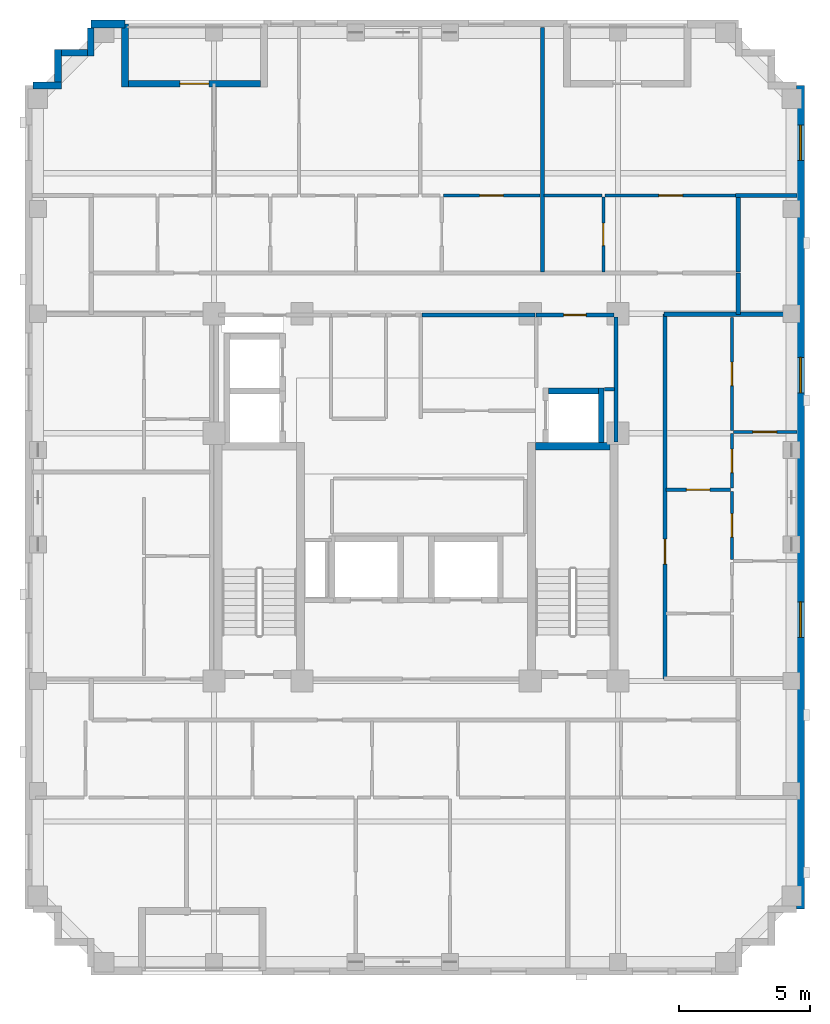
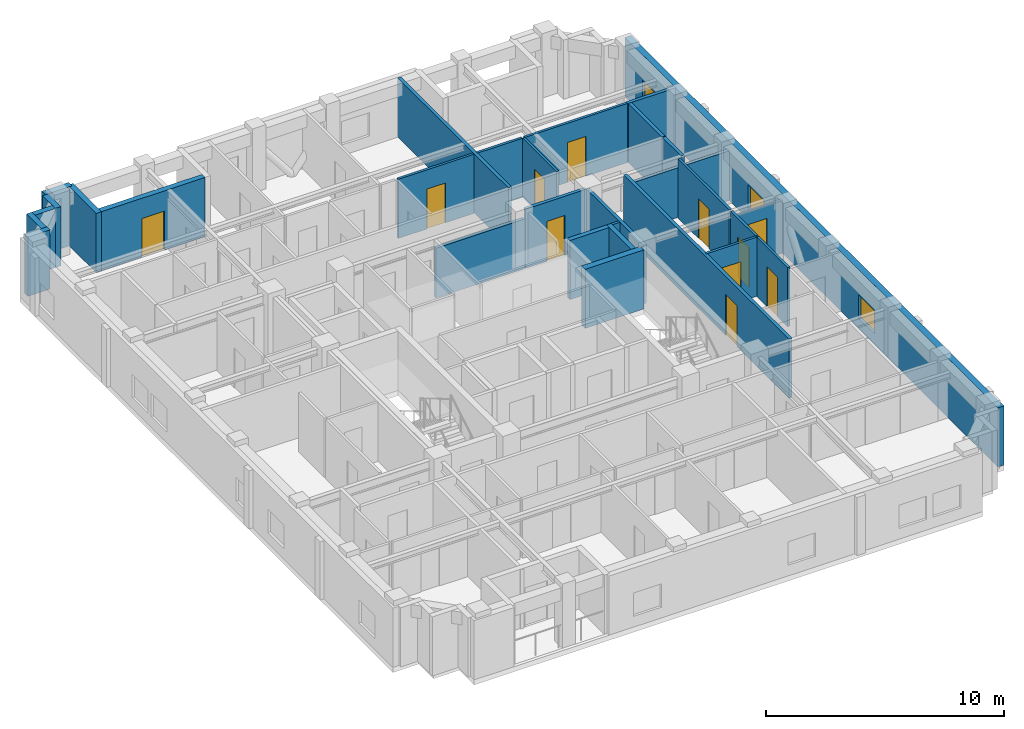
# One storey, part 6 of 10: 30 walls, 11 doors, 3 windows, 14 openings.
"""IFC4 building model written with IfcOpenShell, lengths in metres."""

from ifc_helpers import new_model, si_unit, derived_unit, direction, frame, frame_2d, origin, place, context, subcontext, project, spatial, rectangle, extrude, material, layer, layer_set, type_object, element, fill, save


model = new_model("IFC4")

# Units and contexts
model_context = context("Model", 3, precision=1e-05, world=origin(), true_north=direction((0.0, 1.0)))
body_context = subcontext(model_context, "Body", "Model", "MODEL_VIEW")
ifc_project = project(units=[si_unit("LENGTHUNIT", "METRE"), si_unit("AREAUNIT", "SQUARE_METRE"), si_unit("VOLUMEUNIT", "CUBIC_METRE"), si_unit("PLANEANGLEUNIT", "RADIAN"), si_unit("MASSUNIT", "GRAM", prefix="KILO"), derived_unit("THERMALTRANSMITTANCEUNIT", [(si_unit("MASSUNIT", "GRAM", prefix="KILO"), 1), (si_unit("TIMEUNIT", "SECOND"), -3), (si_unit("THERMODYNAMICTEMPERATUREUNIT", "KELVIN"), -1)])], contexts=[model_context])

# Site, building, storey
site_placement = place(None, origin())
site = spatial("IfcSite", under=ifc_project, at=site_placement, CompositionType="ELEMENT")
building_placement = place(site_placement, origin())
building = spatial("IfcBuilding", under=site, at=building_placement, Name="Korrvale Station Residences", CompositionType="ELEMENT")
storey_placement = place(building_placement, frame((0.0, 0.0, 204.10009765625)))
storey = spatial("IfcBuildingStorey", under=building, at=storey_placement, Name="L59", CompositionType="ELEMENT", Elevation=204.10009765625)

# Walls
ifc_material_1 = material(Name="Concrete C50/60", Category="concrete")
ifc_layer_1 = layer(ifc_material_1, 0.300048828125, Name="Concrete C50/60")
ifc_layer_set_1 = layer_set([ifc_layer_1], Name="Concrete C50/60")
wall_type_1 = type_object("IfcWallType", Name="WAL-CORE-300-C50", PredefinedType="SHEAR", material=ifc_layer_set_1)
wall_1_placement = place(storey_placement, frame((30.050048828125, 23.949951171875, 0.0), z_axis=(0.0, 0.0, 1.0), x_axis=(1.0, 0.0, 0.0)))
element("IfcWall", 1, at=wall_1_placement, inside=storey, type_object=wall_type_1, Name="L59 ST-2 Core Shear Wall North", PredefinedType="SHEAR", context=body_context, shape_type="SweptSolid", body=[
    extrude(rectangle(XDim=2.849853515625, YDim=0.300048828125, at=frame_2d((1.4248046875, 0.0))), origin(), (0.0, 0.0, 1.0), 3.039794921875),
])
ifc_material_2 = material(Name="Precast concrete C45/55", Category="concrete")
ifc_layer_2 = layer(ifc_material_2, 0.260009765625, Name="Precast concrete C45/55")
ifc_layer_set_2 = layer_set([ifc_layer_2], Name="Precast concrete C45/55")
wall_type_2 = type_object("IfcWallType", Name="WAL-EXT-LOG260", PredefinedType="SOLIDWALL", material=ifc_layer_set_2)
wall_2_placement = place(storey_placement, frame((14.39990234375, 40.0400390625, 0.0), z_axis=(0.0, 0.0, 1.0), x_axis=(0.0, -1.0, 0.0)))
element("IfcWall", 2, at=wall_2_placement, inside=storey, type_object=wall_type_2, Name="L59 Recessed Loggia Wall BAL-L59-N2-L", PredefinedType="SOLIDWALL", context=body_context, shape_type="SweptSolid", body=[
    extrude(rectangle(XDim=2.400146484375, YDim=0.260009765625, at=frame_2d((1.2001953125, 0.0))), origin(), (0.0, 0.0, 1.0), 3.039794921875),
])

# Wall, opening, door
wall_3_placement = place(storey_placement, frame((14.533935546875, 37.77001953125, 0.0), z_axis=(0.0, 0.0, 1.0), x_axis=(1.0, 0.0, 0.0)))
wall_3 = element("IfcWall", 3, at=wall_3_placement, inside=storey, type_object=wall_type_2, Name="L59 Recessed Loggia Wall BAL-L59-N2-B", PredefinedType="SOLIDWALL", context=body_context, shape_type="SweptSolid", body=[
    extrude(rectangle(XDim=5.031982421875, YDim=0.260009765625, at=frame_2d((2.51611328125, 0.0))), origin(), (0.0, 0.0, 1.0), 3.039794921875),
])
opening_1_placement = place(wall_3_placement, frame((1.966064453125, 0.0, 0.0)))
opening_1 = element("IfcOpeningElement", 4, at=opening_1_placement, cuts=wall_3, Name="Opening BD-01", PredefinedType="OPENING", context=body_context, shape_type="SweptSolid", body=[
    extrude(rectangle(XDim=1.10009765625, YDim=2.0, at=frame_2d((0.550048828125, 1.0))), frame((0.0, 0.14013671875, 0.0), z_axis=(0.0, -1.0, 0.0), x_axis=(1.0, 0.0, 0.0)), (0.0, 0.0, 1.0), 0.280029296875),
])
ifc_material_3 = material(Name="Exterior thermally broken aluminium glazed balcony door", Category="aluminium")
door_type_1 = type_object("IfcDoorType", Name="DR-EXT-BAL", OperationType="NOTDEFINED", PredefinedType="DOOR", material=ifc_material_3)
door_1_placement = place(opening_1_placement, origin())
door_1 = element("IfcDoor", 5, at=door_1_placement, inside=storey, type_object=door_type_1, Name="L59 Loggia Balcony Door BAL-L59-N2", OperationType="SINGLE_SWING_LEFT", OverallHeight=2.0, OverallWidth=1.10009765625, PredefinedType="DOOR", context=body_context, shape_type="SweptSolid", body=[
    extrude(rectangle(XDim=1.10009765625, YDim=2.0, at=frame_2d((0.550048828125, 1.0))), frame((0.0, 0.02490234375, 0.0), z_axis=(0.0, -1.0, 0.0), x_axis=(1.0, 0.0, 0.0)), (0.0, 0.0, 1.0), 0.050048828125),
])
fill(opening_1, door_1)

# Walls
wall_4_placement = place(storey_placement, frame((10.902099609375, 37.699951171875, 0.0), z_axis=(0.0, 0.0, 1.0), x_axis=(1.0, 0.0, 0.0)))
element("IfcWall", 6, at=wall_4_placement, inside=storey, type_object=wall_type_2, Name="L59 Serrated Corner Precast Step NW-1", PredefinedType="SOLIDWALL", context=body_context, shape_type="SweptSolid", body=[
    extrude(rectangle(XDim=1.077880859375, YDim=0.260009765625, at=frame_2d((0.5390625, 0.0))), origin(), (0.0, 0.0, 1.0), 3.039794921875),
])
wall_5_placement = place(storey_placement, frame((11.85009765625, 37.83203125, 0.0), z_axis=(0.0, 0.0, 1.0), x_axis=(0.0, 1.0, 0.0)))
element("IfcWall", 7, at=wall_5_placement, inside=storey, type_object=wall_type_2, Name="L59 Serrated Corner Precast Step NW-2", PredefinedType="SOLIDWALL", context=body_context, shape_type="SweptSolid", body=[
    extrude(rectangle(XDim=1.248046875, YDim=0.260009765625, at=frame_2d((0.6240234375, 0.0))), origin(), (0.0, 0.0, 1.0), 3.039794921875),
])
wall_6_placement = place(storey_placement, frame((11.98193359375, 38.949951171875, 0.0), z_axis=(0.0, 0.0, 1.0), x_axis=(1.0, 0.0, 0.0)))
element("IfcWall", 8, at=wall_6_placement, inside=storey, type_object=wall_type_2, Name="L59 Serrated Corner Precast Step NW-3", PredefinedType="SOLIDWALL", context=body_context, shape_type="SweptSolid", body=[
    extrude(rectangle(XDim=0.986083984375, YDim=0.260009765625, at=frame_2d((0.4931640625, 0.0))), origin(), (0.0, 0.0, 1.0), 3.039794921875),
])
wall_7_placement = place(storey_placement, frame((13.10009765625, 38.820068359375, 0.0), z_axis=(0.0, 0.0, 1.0), x_axis=(0.0, 1.0, 0.0)))
element("IfcWall", 9, at=wall_7_placement, inside=storey, type_object=wall_type_2, Name="L59 Serrated Corner Precast Step NW-4", PredefinedType="SOLIDWALL", context=body_context, shape_type="SweptSolid", body=[
    extrude(rectangle(XDim=1.077880859375, YDim=0.260009765625, at=frame_2d((0.5390625, 0.0))), origin(), (0.0, 0.0, 1.0), 3.039794921875),
])
ifc_layer_3 = layer(ifc_material_2, 0.300048828125, Name="Precast concrete C45/55")
ifc_layer_set_3 = layer_set([ifc_layer_3], Name="Precast concrete C45/55")
wall_type_3 = type_object("IfcWallType", Name="WAL-EXT-PC300", PredefinedType="SOLIDWALL", material=ifc_layer_set_3)
wall_8_placement = place(storey_placement, frame((13.10009765625, 40.050048828125, 0.0), z_axis=(0.0, 0.0, 1.0), x_axis=(1.0, 0.0, 0.0)))
element("IfcWall", 10, at=wall_8_placement, inside=storey, type_object=wall_type_3, Name="L59 North Exterior Precast Wall 1", PredefinedType="SOLIDWALL", context=body_context, shape_type="SweptSolid", body=[
    extrude(rectangle(XDim=1.2998046875, YDim=0.300048828125, at=frame_2d((0.64990234375, 0.0))), origin(), (0.0, 0.0, 1.0), 3.039794921875),
])

# Wall, openings, windows
wall_9_placement = place(storey_placement, frame((40.14990234375, 37.699951171875, 0.0), z_axis=(0.0, 0.0, 1.0), x_axis=(0.0, -1.0, 0.0)))
wall_9 = element("IfcWall", 11, at=wall_9_placement, inside=storey, type_object=wall_type_3, Name="L59 East Exterior Precast Wall 1", PredefinedType="SOLIDWALL", context=body_context, shape_type="SweptSolid", body=[
    extrude(rectangle(XDim=31.39990234375, YDim=0.300048828125, at=frame_2d((15.699951171875, 0.0))), origin(), (0.0, 0.0, 1.0), 3.039794921875),
])
opening_2_placement = place(wall_9_placement, frame((1.50390625, 0.0, 0.550048828125)))
opening_2 = element("IfcOpeningElement", 12, at=opening_2_placement, cuts=wall_9, Name="Opening W-10", PredefinedType="OPENING", context=body_context, shape_type="SweptSolid", body=[
    extrude(rectangle(XDim=1.35009765625, YDim=1.199951171875, at=frame_2d((0.675048828125, 0.60009765625))), frame((0.0, 0.16015625, 0.0), z_axis=(0.0, -1.0, 0.0), x_axis=(1.0, 0.0, 0.0)), (0.0, 0.0, 1.0), 0.320068359375),
])
opening_3_placement = place(wall_9_placement, frame((19.68310546875, 0.0, 0.550048828125)))
opening_3 = element("IfcOpeningElement", 13, at=opening_3_placement, cuts=wall_9, Name="Opening W-10", PredefinedType="OPENING", context=body_context, shape_type="SweptSolid", body=[
    extrude(rectangle(XDim=1.35009765625, YDim=1.199951171875, at=frame_2d((0.675048828125, 0.60009765625))), frame((0.0, 0.16015625, 0.0), z_axis=(0.0, -1.0, 0.0), x_axis=(1.0, 0.0, 0.0)), (0.0, 0.0, 1.0), 0.320068359375),
])
opening_4_placement = place(wall_9_placement, frame((10.366943359375, 0.0, 0.550048828125)))
opening_4 = element("IfcOpeningElement", 14, at=opening_4_placement, cuts=wall_9, Name="Opening W-10", PredefinedType="OPENING", context=body_context, shape_type="SweptSolid", body=[
    extrude(rectangle(XDim=1.35009765625, YDim=1.199951171875, at=frame_2d((0.675048828125, 0.60009765625))), frame((0.0, 0.16015625, 0.0), z_axis=(0.0, -1.0, 0.0), x_axis=(1.0, 0.0, 0.0)), (0.0, 0.0, 1.0), 0.320068359375),
])
ifc_material_4 = material(Name="Thermally broken aluminium frame with triple low-e glazing", Category="aluminium")
window_type = type_object("IfcWindowType", Name="WIN-W10", PartitioningType="SINGLE_PANEL", PredefinedType="WINDOW", material=ifc_material_4)
window_1_placement = place(opening_2_placement, origin())
window_1 = element("IfcWindow", 15, at=window_1_placement, inside=storey, type_object=window_type, Name="L59 Punched Window 10", OverallHeight=1.199951171875, OverallWidth=1.35009765625, PartitioningType="SINGLE_PANEL", PredefinedType="WINDOW", context=body_context, shape_type="SweptSolid", body=[
    extrude(rectangle(XDim=1.35009765625, YDim=1.199951171875, at=frame_2d((0.675048828125, 0.60009765625))), frame((0.0, 0.030029296875, 0.0), z_axis=(0.0, -1.0, 0.0), x_axis=(1.0, 0.0, 0.0)), (0.0, 0.0, 1.0), 0.06005859375),
])
fill(opening_2, window_1)
window_2_placement = place(opening_3_placement, origin())
window_2 = element("IfcWindow", 16, at=window_2_placement, inside=storey, type_object=window_type, Name="L59 Punched Window 15", OverallHeight=1.199951171875, OverallWidth=1.35009765625, PartitioningType="SINGLE_PANEL", PredefinedType="WINDOW", context=body_context, shape_type="SweptSolid", body=[
    extrude(rectangle(XDim=1.35009765625, YDim=1.199951171875, at=frame_2d((0.675048828125, 0.60009765625))), frame((0.0, 0.030029296875, 0.0), z_axis=(0.0, -1.0, 0.0), x_axis=(1.0, 0.0, 0.0)), (0.0, 0.0, 1.0), 0.06005859375),
])
fill(opening_3, window_2)
window_3_placement = place(opening_4_placement, origin())
window_3 = element("IfcWindow", 17, at=window_3_placement, inside=storey, type_object=window_type, Name="L59 Punched Window 16", OverallHeight=1.199951171875, OverallWidth=1.35009765625, PartitioningType="SINGLE_PANEL", PredefinedType="WINDOW", context=body_context, shape_type="SweptSolid", body=[
    extrude(rectangle(XDim=1.35009765625, YDim=1.199951171875, at=frame_2d((0.675048828125, 0.60009765625))), frame((0.0, 0.030029296875, 0.0), z_axis=(0.0, -1.0, 0.0), x_axis=(1.0, 0.0, 0.0)), (0.0, 0.0, 1.0), 0.06005859375),
])
fill(opening_4, window_3)

# Wall
ifc_material_5 = material(Name="Acoustic steel-stud gypsum board partition", Category="steel")
ifc_layer_4 = layer(ifc_material_5, 0.1201171875, Name="Acoustic steel-stud gypsum board partition")
ifc_layer_set_4 = layer_set([ifc_layer_4], Name="Acoustic steel-stud gypsum board partition")
wall_type_4 = type_object("IfcWallType", Name="WAL-PART-125", PredefinedType="PARTITIONING", material=ifc_layer_set_4)
wall_10_placement = place(storey_placement, frame((32.679931640625, 26.1201171875, 0.0), z_axis=(0.0, 0.0, 1.0), x_axis=(1.0, 0.0, 0.0)))
element("IfcWall", 18, at=wall_10_placement, inside=storey, type_object=wall_type_4, Name="L59 Core Partition CW-CS-S", PredefinedType="PARTITIONING", context=body_context, shape_type="SweptSolid", body=[
    extrude(rectangle(XDim=0.380126953125, YDim=0.1201171875, at=frame_2d((0.18994140625, 0.0))), origin(), (0.0, 0.0, 1.0), 3.039794921875),
])

# Wall, opening, door
wall_11_placement = place(storey_placement, frame((26.5400390625, 33.510009765625, 0.0), z_axis=(0.0, 0.0, 1.0), x_axis=(1.0, 0.0, 0.0)))
wall_11 = element("IfcWall", 19, at=wall_11_placement, inside=storey, type_object=wall_type_4, Name="L59 Suite Partition U04-H48", PredefinedType="PARTITIONING", context=body_context, shape_type="SweptSolid", body=[
    extrude(rectangle(XDim=3.677001953125, YDim=0.1201171875, at=frame_2d((1.83837890625, 0.0))), origin(), (0.0, 0.0, 1.0), 3.039794921875),
])
opening_5_placement = place(wall_11_placement, frame((1.387939453125, 0.0, 0.0)))
opening_5 = element("IfcOpeningElement", 20, at=opening_5_placement, cuts=wall_11, Name="Opening DI-900", PredefinedType="OPENING", context=body_context, shape_type="SweptSolid", body=[
    extrude(rectangle(XDim=0.89990234375, YDim=2.050048828125, at=frame_2d((0.449951171875, 1.02490234375))), frame((0.0, 0.070068359375, 0.0), z_axis=(0.0, -1.0, 0.0), x_axis=(1.0, 0.0, 0.0)), (0.0, 0.0, 1.0), 0.14013671875),
])
ifc_material_6 = material(Name="Painted solid-core timber interior room door", Category="wood")
door_type_2 = type_object("IfcDoorType", Name="DR-INT-900", OperationType="NOTDEFINED", PredefinedType="DOOR", material=ifc_material_6)
door_2_placement = place(opening_5_placement, origin())
door_2 = element("IfcDoor", 21, at=door_2_placement, inside=storey, type_object=door_type_2, Name="L59 Apartment 2BR L59-U04 Wardrobe Storage Room Door", OperationType="SINGLE_SWING_LEFT", OverallHeight=2.050048828125, OverallWidth=0.89990234375, PredefinedType="DOOR", context=body_context, shape_type="SweptSolid", body=[
    extrude(rectangle(XDim=0.89990234375, YDim=2.050048828125, at=frame_2d((0.449951171875, 1.02490234375))), frame((0.0, 0.02490234375, 0.0), z_axis=(0.0, -1.0, 0.0), x_axis=(1.0, 0.0, 0.0)), (0.0, 0.0, 1.0), 0.050048828125),
])
fill(opening_5, door_2)

wall_12_placement = place(storey_placement, frame((32.639892578125, 30.60009765625, 0.0), z_axis=(0.0, 0.0, 1.0), x_axis=(0.0, 1.0, 0.0)))
wall_12 = element("IfcWall", 22, at=wall_12_placement, inside=storey, type_object=wall_type_4, Name="L59 Suite Partition U05-V01", PredefinedType="PARTITIONING", context=body_context, shape_type="SweptSolid", body=[
    extrude(rectangle(XDim=2.849853515625, YDim=0.1201171875, at=frame_2d((1.4248046875, 0.0))), origin(), (0.0, 0.0, 1.0), 3.039794921875),
])
opening_6_placement = place(wall_12_placement, frame((0.9951171875, 0.0, 0.0)))
opening_6 = element("IfcOpeningElement", 23, at=opening_6_placement, cuts=wall_12, Name="Opening DB-860", PredefinedType="OPENING", context=body_context, shape_type="SweptSolid", body=[
    extrude(rectangle(XDim=0.860107421875, YDim=2.050048828125, at=frame_2d((0.43017578125, 1.02490234375))), frame((0.0, 0.070068359375, 0.0), z_axis=(0.0, -1.0, 0.0), x_axis=(1.0, 0.0, 0.0)), (0.0, 0.0, 1.0), 0.14013671875),
])
ifc_material_7 = material(Name="Moisture-resistant solid-core bathroom door", Category="timber")
door_type_3 = type_object("IfcDoorType", Name="DR-BATH-860", OperationType="NOTDEFINED", PredefinedType="DOOR", material=ifc_material_7)
door_3_placement = place(opening_6_placement, origin())
door_3 = element("IfcDoor", 24, at=door_3_placement, inside=storey, type_object=door_type_3, Name="L59 Studio Apartment L59-U05 Bathroom Door", OperationType="SINGLE_SWING_LEFT", OverallHeight=2.050048828125, OverallWidth=0.860107421875, PredefinedType="DOOR", context=body_context, shape_type="SweptSolid", body=[
    extrude(rectangle(XDim=0.860107421875, YDim=2.050048828125, at=frame_2d((0.43017578125, 1.02490234375))), frame((0.0, 0.02490234375, 0.0), z_axis=(0.0, -1.0, 0.0), x_axis=(1.0, 0.0, 0.0)), (0.0, 0.0, 1.0), 0.050048828125),
])
fill(opening_6, door_3)

# Wall
wall_13_placement = place(storey_placement, frame((30.376953125, 33.510009765625, 0.0), z_axis=(0.0, 0.0, 1.0), x_axis=(1.0, 0.0, 0.0)))
element("IfcWall", 25, at=wall_13_placement, inside=storey, type_object=wall_type_4, Name="L59 Suite Partition U05-H02", PredefinedType="PARTITIONING", context=body_context, shape_type="SweptSolid", body=[
    extrude(rectangle(XDim=2.203125, YDim=0.1201171875, at=frame_2d((1.1015625, 0.0))), origin(), (0.0, 0.0, 1.0), 3.039794921875),
])

# Wall, opening, door
wall_14_placement = place(storey_placement, frame((32.699951171875, 33.510009765625, 0.0), z_axis=(0.0, 0.0, 1.0), x_axis=(1.0, 0.0, 0.0)))
wall_14 = element("IfcWall", 26, at=wall_14_placement, inside=storey, type_object=wall_type_4, Name="L59 Suite Partition U05-H12", PredefinedType="PARTITIONING", context=body_context, shape_type="SweptSolid", body=[
    extrude(rectangle(XDim=5.02001953125, YDim=0.1201171875, at=frame_2d((2.510009765625, 0.0))), origin(), (0.0, 0.0, 1.0), 3.039794921875),
])
opening_7_placement = place(wall_14_placement, frame((2.06005859375, 0.0, 0.0)))
opening_7 = element("IfcOpeningElement", 27, at=opening_7_placement, cuts=wall_14, Name="Opening DI-900", PredefinedType="OPENING", context=body_context, shape_type="SweptSolid", body=[
    extrude(rectangle(XDim=0.89990234375, YDim=2.050048828125, at=frame_2d((0.449951171875, 1.02490234375))), frame((0.0, 0.070068359375, 0.0), z_axis=(0.0, -1.0, 0.0), x_axis=(1.0, 0.0, 0.0)), (0.0, 0.0, 1.0), 0.14013671875),
])
door_4_placement = place(opening_7_placement, origin())
door_4 = element("IfcDoor", 28, at=door_4_placement, inside=storey, type_object=door_type_2, Name="L59 Studio Apartment L59-U05 Kitchen Door", OperationType="SINGLE_SWING_RIGHT", OverallHeight=2.050048828125, OverallWidth=0.89990234375, PredefinedType="DOOR", context=body_context, shape_type="SweptSolid", body=[
    extrude(rectangle(XDim=0.89990234375, YDim=2.050048828125, at=frame_2d((0.449951171875, 1.02490234375))), frame((0.0, 0.02490234375, 0.0), z_axis=(0.0, -1.0, 0.0), x_axis=(1.0, 0.0, 0.0)), (0.0, 0.0, 1.0), 0.050048828125),
])
fill(opening_7, door_4)

wall_15_placement = place(storey_placement, frame((35.030029296875, 22.2900390625, 0.0), z_axis=(0.0, 0.0, 1.0), x_axis=(1.0, 0.0, 0.0)))
wall_15 = element("IfcWall", 29, at=wall_15_placement, inside=storey, type_object=wall_type_4, Name="L59 Suite Partition U08-H02", PredefinedType="PARTITIONING", context=body_context, shape_type="SweptSolid", body=[
    extrude(rectangle(XDim=2.449951171875, YDim=0.1201171875, at=frame_2d((1.22509765625, 0.0))), origin(), (0.0, 0.0, 1.0), 3.039794921875),
])
opening_8_placement = place(wall_15_placement, frame((0.77490234375, 0.0, 0.0)))
opening_8 = element("IfcOpeningElement", 30, at=opening_8_placement, cuts=wall_15, Name="Opening DI-900", PredefinedType="OPENING", context=body_context, shape_type="SweptSolid", body=[
    extrude(rectangle(XDim=0.89990234375, YDim=2.050048828125, at=frame_2d((0.449951171875, 1.02490234375))), frame((0.0, 0.070068359375, 0.0), z_axis=(0.0, -1.0, 0.0), x_axis=(1.0, 0.0, 0.0)), (0.0, 0.0, 1.0), 0.14013671875),
])
door_5_placement = place(opening_8_placement, origin())
door_5 = element("IfcDoor", 31, at=door_5_placement, inside=storey, type_object=door_type_2, Name="L59 Apartment 2BR L59-U08 Wardrobe Storage Room Door", OperationType="SINGLE_SWING_LEFT", OverallHeight=2.050048828125, OverallWidth=0.89990234375, PredefinedType="DOOR", context=body_context, shape_type="SweptSolid", body=[
    extrude(rectangle(XDim=0.89990234375, YDim=2.050048828125, at=frame_2d((0.449951171875, 1.02490234375))), frame((0.0, 0.02490234375, 0.0), z_axis=(0.0, -1.0, 0.0), x_axis=(1.0, 0.0, 0.0)), (0.0, 0.0, 1.0), 0.050048828125),
])
fill(opening_8, door_5)

wall_16_placement = place(storey_placement, frame((37.5400390625, 22.35009765625, 0.0), z_axis=(0.0, 0.0, 1.0), x_axis=(0.0, 1.0, 0.0)))
wall_16 = element("IfcWall", 32, at=wall_16_placement, inside=storey, type_object=wall_type_4, Name="L59 Suite Partition U08-V04", PredefinedType="PARTITIONING", context=body_context, shape_type="SweptSolid", body=[
    extrude(rectangle(XDim=2.081787109375, YDim=0.1201171875, at=frame_2d((1.041015625, 0.0))), origin(), (0.0, 0.0, 1.0), 3.039794921875),
])
opening_9_placement = place(wall_16_placement, frame((0.591064453125, 0.0, 0.0)))
opening_9 = element("IfcOpeningElement", 33, at=opening_9_placement, cuts=wall_16, Name="Opening DI-900", PredefinedType="OPENING", context=body_context, shape_type="SweptSolid", body=[
    extrude(rectangle(XDim=0.89990234375, YDim=2.050048828125, at=frame_2d((0.449951171875, 1.02490234375))), frame((0.0, 0.070068359375, 0.0), z_axis=(0.0, -1.0, 0.0), x_axis=(1.0, 0.0, 0.0)), (0.0, 0.0, 1.0), 0.14013671875),
])
door_6_placement = place(opening_9_placement, origin())
door_6 = element("IfcDoor", 34, at=door_6_placement, inside=storey, type_object=door_type_2, Name="L59 Apartment 2BR L59-U08 Wardrobe Storage Room Door", OperationType="SINGLE_SWING_RIGHT", OverallHeight=2.050048828125, OverallWidth=0.89990234375, PredefinedType="DOOR", context=body_context, shape_type="SweptSolid", body=[
    extrude(rectangle(XDim=0.89990234375, YDim=2.050048828125, at=frame_2d((0.449951171875, 1.02490234375))), frame((0.0, 0.02490234375, 0.0), z_axis=(0.0, -1.0, 0.0), x_axis=(1.0, 0.0, 0.0)), (0.0, 0.0, 1.0), 0.050048828125),
])
fill(opening_9, door_6)

wall_17_placement = place(storey_placement, frame((37.5400390625, 24.552001953125, 0.0), z_axis=(0.0, 0.0, 1.0), x_axis=(0.0, 1.0, 0.0)))
wall_17 = element("IfcWall", 35, at=wall_17_placement, inside=storey, type_object=wall_type_4, Name="L59 Suite Partition U08-V05", PredefinedType="PARTITIONING", context=body_context, shape_type="SweptSolid", body=[
    extrude(rectangle(XDim=4.30810546875, YDim=0.1201171875, at=frame_2d((2.154052734375, 0.0))), origin(), (0.0, 0.0, 1.0), 3.039794921875),
])
opening_10_placement = place(wall_17_placement, frame((1.7041015625, 0.0, 0.0)))
opening_10 = element("IfcOpeningElement", 36, at=opening_10_placement, cuts=wall_17, Name="Opening DI-900", PredefinedType="OPENING", context=body_context, shape_type="SweptSolid", body=[
    extrude(rectangle(XDim=0.89990234375, YDim=2.050048828125, at=frame_2d((0.449951171875, 1.02490234375))), frame((0.0, 0.070068359375, 0.0), z_axis=(0.0, -1.0, 0.0), x_axis=(1.0, 0.0, 0.0)), (0.0, 0.0, 1.0), 0.14013671875),
])
door_7_placement = place(opening_10_placement, origin())
door_7 = element("IfcDoor", 37, at=door_7_placement, inside=storey, type_object=door_type_2, Name="L59 Apartment 2BR L59-U08 Wardrobe Storage Room Door", OperationType="SINGLE_SWING_LEFT", OverallHeight=2.050048828125, OverallWidth=0.89990234375, PredefinedType="DOOR", context=body_context, shape_type="SweptSolid", body=[
    extrude(rectangle(XDim=0.89990234375, YDim=2.050048828125, at=frame_2d((0.449951171875, 1.02490234375))), frame((0.0, 0.02490234375, 0.0), z_axis=(0.0, -1.0, 0.0), x_axis=(1.0, 0.0, 0.0)), (0.0, 0.0, 1.0), 0.050048828125),
])
fill(opening_10, door_7)

wall_18_placement = place(storey_placement, frame((37.5400390625, 19.637939453125, 0.0), z_axis=(0.0, 0.0, 1.0), x_axis=(0.0, 1.0, 0.0)))
wall_18 = element("IfcWall", 38, at=wall_18_placement, inside=storey, type_object=wall_type_4, Name="L59 Suite Partition U08-V24", PredefinedType="PARTITIONING", context=body_context, shape_type="SweptSolid", body=[
    extrude(rectangle(XDim=2.592041015625, YDim=0.1201171875, at=frame_2d((1.2958984375, 0.0))), origin(), (0.0, 0.0, 1.0), 3.039794921875),
])
opening_11_placement = place(wall_18_placement, frame((0.845947265625, 0.0, 0.0)))
opening_11 = element("IfcOpeningElement", 39, at=opening_11_placement, cuts=wall_18, Name="Opening DI-900", PredefinedType="OPENING", context=body_context, shape_type="SweptSolid", body=[
    extrude(rectangle(XDim=0.89990234375, YDim=2.050048828125, at=frame_2d((0.449951171875, 1.02490234375))), frame((0.0, 0.070068359375, 0.0), z_axis=(0.0, -1.0, 0.0), x_axis=(1.0, 0.0, 0.0)), (0.0, 0.0, 1.0), 0.14013671875),
])
door_8_placement = place(opening_11_placement, origin())
door_8 = element("IfcDoor", 40, at=door_8_placement, inside=storey, type_object=door_type_2, Name="L59 Apartment 2BR L59-U08 Kitchen Door", OperationType="SINGLE_SWING_RIGHT", OverallHeight=2.050048828125, OverallWidth=0.89990234375, PredefinedType="DOOR", context=body_context, shape_type="SweptSolid", body=[
    extrude(rectangle(XDim=0.89990234375, YDim=2.050048828125, at=frame_2d((0.449951171875, 1.02490234375))), frame((0.0, 0.02490234375, 0.0), z_axis=(0.0, -1.0, 0.0), x_axis=(1.0, 0.0, 0.0)), (0.0, 0.0, 1.0), 0.050048828125),
])
fill(opening_11, door_8)

wall_19_placement = place(storey_placement, frame((37.60009765625, 24.491943359375, 0.0), z_axis=(0.0, 0.0, 1.0), x_axis=(1.0, 0.0, 0.0)))
wall_19 = element("IfcWall", 41, at=wall_19_placement, inside=storey, type_object=wall_type_4, Name="L59 Suite Partition U08-H45", PredefinedType="PARTITIONING", context=body_context, shape_type="SweptSolid", body=[
    extrude(rectangle(XDim=2.419921875, YDim=0.1201171875, at=frame_2d((1.2099609375, 0.0))), origin(), (0.0, 0.0, 1.0), 2.721923828125),
])
opening_12_placement = place(wall_19_placement, frame((0.7451171875, 0.0, 0.0)))
opening_12 = element("IfcOpeningElement", 42, at=opening_12_placement, cuts=wall_19, Name="Opening DI-900", PredefinedType="OPENING", context=body_context, shape_type="SweptSolid", body=[
    extrude(rectangle(XDim=0.89990234375, YDim=2.050048828125, at=frame_2d((0.449951171875, 1.02490234375))), frame((0.0, 0.070068359375, 0.0), z_axis=(0.0, -1.0, 0.0), x_axis=(1.0, 0.0, 0.0)), (0.0, 0.0, 1.0), 0.14013671875),
])
door_9_placement = place(opening_12_placement, origin())
door_9 = element("IfcDoor", 43, at=door_9_placement, inside=storey, type_object=door_type_2, Name="L59 Apartment 2BR L59-U08 Living and Dining Room Door", OperationType="SINGLE_SWING_RIGHT", OverallHeight=2.050048828125, OverallWidth=0.89990234375, PredefinedType="DOOR", context=body_context, shape_type="SweptSolid", body=[
    extrude(rectangle(XDim=0.89990234375, YDim=2.050048828125, at=frame_2d((0.449951171875, 1.02490234375))), frame((0.0, 0.02490234375, 0.0), z_axis=(0.0, -1.0, 0.0), x_axis=(1.0, 0.0, 0.0)), (0.0, 0.0, 1.0), 0.050048828125),
])
fill(opening_12, door_9)

# Wall
ifc_material_8 = material(Name="Fire-rated twin-stud gypsum and mineral wool shaftwall assembly", Category="gypsum")
ifc_layer_5 = layer(ifc_material_8, 0.159912109375, Name="Fire-rated twin-stud gypsum and mineral wool shaftwall assembly")
ifc_layer_set_5 = layer_set([ifc_layer_5], Name="Fire-rated twin-stud gypsum and mineral wool shaftwall assembly")
wall_type_5 = type_object("IfcWallType", Name="WAL-PART-200", PredefinedType="PARTITIONING", material=ifc_layer_set_5)
wall_20_placement = place(storey_placement, frame((33.1201171875, 24.1201171875, 0.0), z_axis=(0.0, 0.0, 1.0), x_axis=(0.0, 1.0, 0.0)))
element("IfcWall", 44, at=wall_20_placement, inside=storey, type_object=wall_type_5, Name="L59 Core Partition CW-E-N", PredefinedType="PARTITIONING", context=body_context, shape_type="SweptSolid", body=[
    extrude(rectangle(XDim=4.759765625, YDim=0.159912109375, at=frame_2d((2.3798828125, 0.0))), origin(), (0.0, 0.0, 1.0), 3.039794921875),
])

# Wall, opening, door
wall_21_placement = place(storey_placement, frame((30.080078125, 28.949951171875, 0.0), z_axis=(0.0, 0.0, 1.0), x_axis=(1.0, 0.0, 0.0)))
wall_21 = element("IfcWall", 45, at=wall_21_placement, inside=storey, type_object=wall_type_5, Name="L59 Core Partition CW-CS-N", PredefinedType="PARTITIONING", context=body_context, shape_type="SweptSolid", body=[
    extrude(rectangle(XDim=2.9599609375, YDim=0.159912109375, at=frame_2d((1.47998046875, 0.0))), origin(), (0.0, 0.0, 1.0), 3.039794921875),
])
opening_13_placement = place(wall_21_placement, frame((1.044921875, 0.0, 0.0)))
opening_13 = element("IfcOpeningElement", 46, at=opening_13_placement, cuts=wall_21, Name="Opening DB-860", PredefinedType="OPENING", context=body_context, shape_type="SweptSolid", body=[
    extrude(rectangle(XDim=0.860107421875, YDim=2.050048828125, at=frame_2d((0.43017578125, 1.02490234375))), frame((0.0, 0.08984375, 0.0), z_axis=(0.0, -1.0, 0.0), x_axis=(1.0, 0.0, 0.0)), (0.0, 0.0, 1.0), 0.179931640625),
])
door_10_placement = place(opening_13_placement, origin())
door_10 = element("IfcDoor", 47, at=door_10_placement, inside=storey, type_object=door_type_3, Name="L59 Parcel Room Door", OperationType="SINGLE_SWING_LEFT", OverallHeight=2.050048828125, OverallWidth=0.860107421875, PredefinedType="DOOR", context=body_context, shape_type="SweptSolid", body=[
    extrude(rectangle(XDim=0.860107421875, YDim=2.050048828125, at=frame_2d((0.43017578125, 1.02490234375))), frame((0.0, 0.02490234375, 0.0), z_axis=(0.0, -1.0, 0.0), x_axis=(1.0, 0.0, 0.0)), (0.0, 0.0, 1.0), 0.050048828125),
])
fill(opening_13, door_10)

# Walls
wall_22_placement = place(storey_placement, frame((25.719970703125, 28.949951171875, 0.0), z_axis=(0.0, 0.0, 1.0), x_axis=(1.0, 0.0, 0.0)))
element("IfcWall", 48, at=wall_22_placement, inside=storey, type_object=wall_type_5, Name="L59 Core Partition CW-FPLE-N", PredefinedType="PARTITIONING", context=body_context, shape_type="SweptSolid", body=[
    extrude(rectangle(XDim=4.320068359375, YDim=0.159912109375, at=frame_2d((2.16015625, 0.0))), origin(), (0.0, 0.0, 1.0), 2.555908203125),
])
wall_23_placement = place(storey_placement, frame((37.780029296875, 28.97998046875, 0.0), z_axis=(0.0, 0.0, 1.0), x_axis=(0.0, 1.0, 0.0)))
element("IfcWall", 49, at=wall_23_placement, inside=storey, type_object=wall_type_5, Name="L59 Corridor North East Cap", PredefinedType="PARTITIONING", context=body_context, shape_type="SweptSolid", body=[
    extrude(rectangle(XDim=1.580078125, YDim=0.159912109375, at=frame_2d((0.7900390625, 0.0))), origin(), (0.0, 0.0, 1.0), 3.039794921875),
])
wall_24_placement = place(storey_placement, frame((34.949951171875, 28.97998046875, 0.0), z_axis=(0.0, 0.0, 1.0), x_axis=(1.0, 0.0, 0.0)))
element("IfcWall", 50, at=wall_24_placement, inside=storey, type_object=wall_type_5, Name="L59 East Wing North Corridor Wall", PredefinedType="PARTITIONING", context=body_context, shape_type="SweptSolid", body=[
    extrude(rectangle(XDim=5.070068359375, YDim=0.159912109375, at=frame_2d((2.53515625, 0.0))), origin(), (0.0, 0.0, 1.0), 2.555908203125),
])
wall_25_placement = place(storey_placement, frame((37.679931640625, 33.510009765625, 0.0), z_axis=(0.0, 0.0, 1.0), x_axis=(1.0, 0.0, 0.0)))
element("IfcWall", 51, at=wall_25_placement, inside=storey, type_object=wall_type_5, Name="L59 Corner Step Wall U05-R", PredefinedType="PARTITIONING", context=body_context, shape_type="SweptSolid", body=[
    extrude(rectangle(XDim=2.340087890625, YDim=0.159912109375, at=frame_2d((1.169921875, 0.0))), origin(), (0.0, 0.0, 1.0), 3.039794921875),
])
wall_26_placement = place(storey_placement, frame((37.780029296875, 30.60009765625, 0.0), z_axis=(0.0, 0.0, 1.0), x_axis=(0.0, 1.0, 0.0)))
element("IfcWall", 52, at=wall_26_placement, inside=storey, type_object=wall_type_5, Name="L59 Corner Step Cheek U05-R", PredefinedType="PARTITIONING", context=body_context, shape_type="SweptSolid", body=[
    extrude(rectangle(XDim=2.909912109375, YDim=0.159912109375, at=frame_2d((1.455078125, 0.0))), origin(), (0.0, 0.0, 1.0), 3.039794921875),
])
wall_27_placement = place(storey_placement, frame((30.31689453125, 30.60009765625, 0.0), z_axis=(0.0, 0.0, 1.0), x_axis=(0.0, 1.0, 0.0)))
element("IfcWall", 53, at=wall_27_placement, inside=storey, type_object=wall_type_5, Name="L59 Demising Wall U05-W", PredefinedType="PARTITIONING", context=body_context, shape_type="SweptSolid", body=[
    extrude(rectangle(XDim=9.31982421875, YDim=0.159912109375, at=frame_2d((4.659912109375, 0.0))), origin(), (0.0, 0.0, 1.0), 3.039794921875),
])

# Wall, opening, door
wall_28_placement = place(storey_placement, frame((34.989990234375, 15.070068359375, 0.0), z_axis=(0.0, 0.0, 1.0), x_axis=(0.0, 1.0, 0.0)))
wall_28 = element("IfcWall", 54, at=wall_28_placement, inside=storey, type_object=wall_type_5, Name="L59 Rated Corridor Wall E", PredefinedType="PARTITIONING", context=body_context, shape_type="SweptSolid", body=[
    extrude(rectangle(XDim=13.929931640625, YDim=0.159912109375, at=frame_2d((6.96484375, 0.0))), origin(), (0.0, 0.0, 1.0), 3.039794921875),
])
opening_14_placement = place(wall_28_placement, frame((4.385009765625, 0.0, 0.0)))
opening_14 = element("IfcOpeningElement", 55, at=opening_14_placement, cuts=wall_28, Name="Opening UD-950", PredefinedType="OPENING", context=body_context, shape_type="SweptSolid", body=[
    extrude(rectangle(XDim=0.949951171875, YDim=2.10009765625, at=frame_2d((0.47509765625, 1.050048828125))), frame((0.0, 0.08984375, 0.0), z_axis=(0.0, -1.0, 0.0), x_axis=(1.0, 0.0, 0.0)), (0.0, 0.0, 1.0), 0.179931640625),
])
ifc_material_9 = material(Name="Solid-core acoustic oak apartment entrance door", Category="timber")
door_type_4 = type_object("IfcDoorType", Name="DR-UNIT-950", OperationType="NOTDEFINED", PredefinedType="DOOR", material=ifc_material_9)
door_11_placement = place(opening_14_placement, origin())
door_11 = element("IfcDoor", 56, at=door_11_placement, inside=storey, type_object=door_type_4, Name="L59 Apartment L59-U08 Entrance Door", OperationType="SINGLE_SWING_RIGHT", OverallHeight=2.10009765625, OverallWidth=0.949951171875, PredefinedType="DOOR", context=body_context, shape_type="SweptSolid", body=[
    extrude(rectangle(XDim=0.949951171875, YDim=2.10009765625, at=frame_2d((0.47509765625, 1.050048828125))), frame((0.0, 0.02490234375, 0.0), z_axis=(0.0, -1.0, 0.0), x_axis=(1.0, 0.0, 0.0)), (0.0, 0.0, 1.0), 0.050048828125),
])
fill(opening_14, door_11)

# Walls
ifc_layer_6 = layer(ifc_material_1, 0.219970703125, Name="Concrete C50/60")
ifc_layer_set_6 = layer_set([ifc_layer_6], Name="Concrete C50/60")
wall_type_6 = type_object("IfcWallType", Name="WAL-SHAFT-220-C50", PredefinedType="SHEAR", material=ifc_layer_set_6)
wall_29_placement = place(storey_placement, frame((30.550048828125, 26.06005859375, 0.0), z_axis=(0.0, 0.0, 1.0), x_axis=(1.0, 0.0, 0.0)))
element("IfcWall", 57, at=wall_29_placement, inside=storey, type_object=wall_type_6, Name="L59 Elevator PH-3 Hoistway Wall North", PredefinedType="SHEAR", context=body_context, shape_type="SweptSolid", body=[
    extrude(rectangle(XDim=1.89990234375, YDim=0.219970703125, at=frame_2d((0.949951171875, 0.0))), origin(), (0.0, 0.0, 1.0), 3.039794921875),
])
wall_30_placement = place(storey_placement, frame((32.56005859375, 24.10009765625, 0.0), z_axis=(0.0, 0.0, 1.0), x_axis=(0.0, 1.0, 0.0)))
element("IfcWall", 58, at=wall_30_placement, inside=storey, type_object=wall_type_6, Name="L59 Elevator PH-3 Hoistway Wall East", PredefinedType="SHEAR", context=body_context, shape_type="SweptSolid", body=[
    extrude(rectangle(XDim=2.06982421875, YDim=0.219970703125, at=frame_2d((1.034912109375, 0.0))), origin(), (0.0, 0.0, 1.0), 3.039794921875),
])

save(model, "model.ifc")
